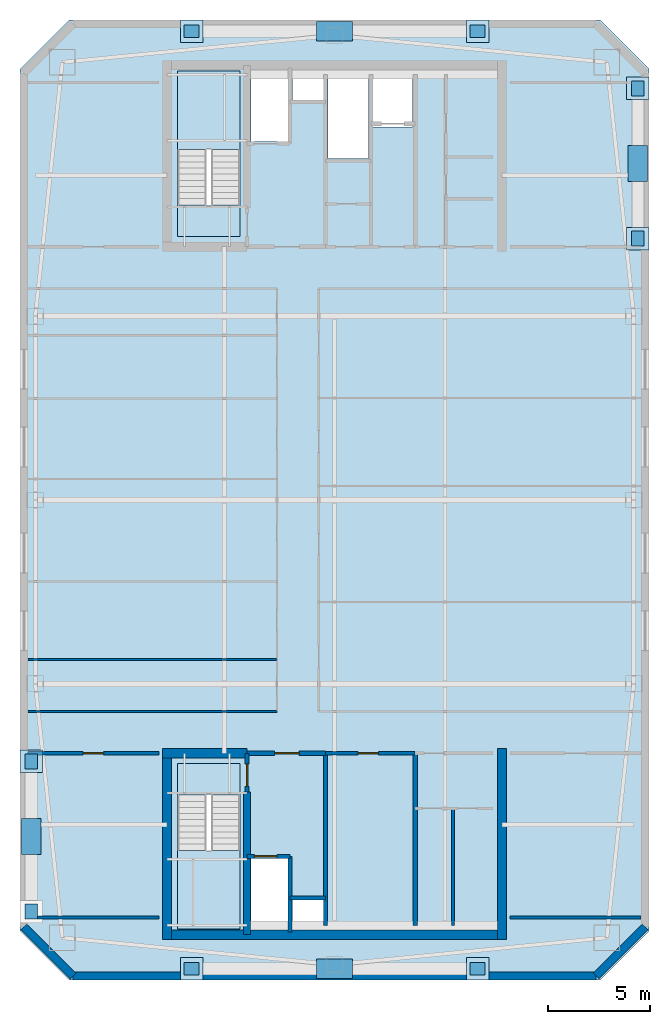
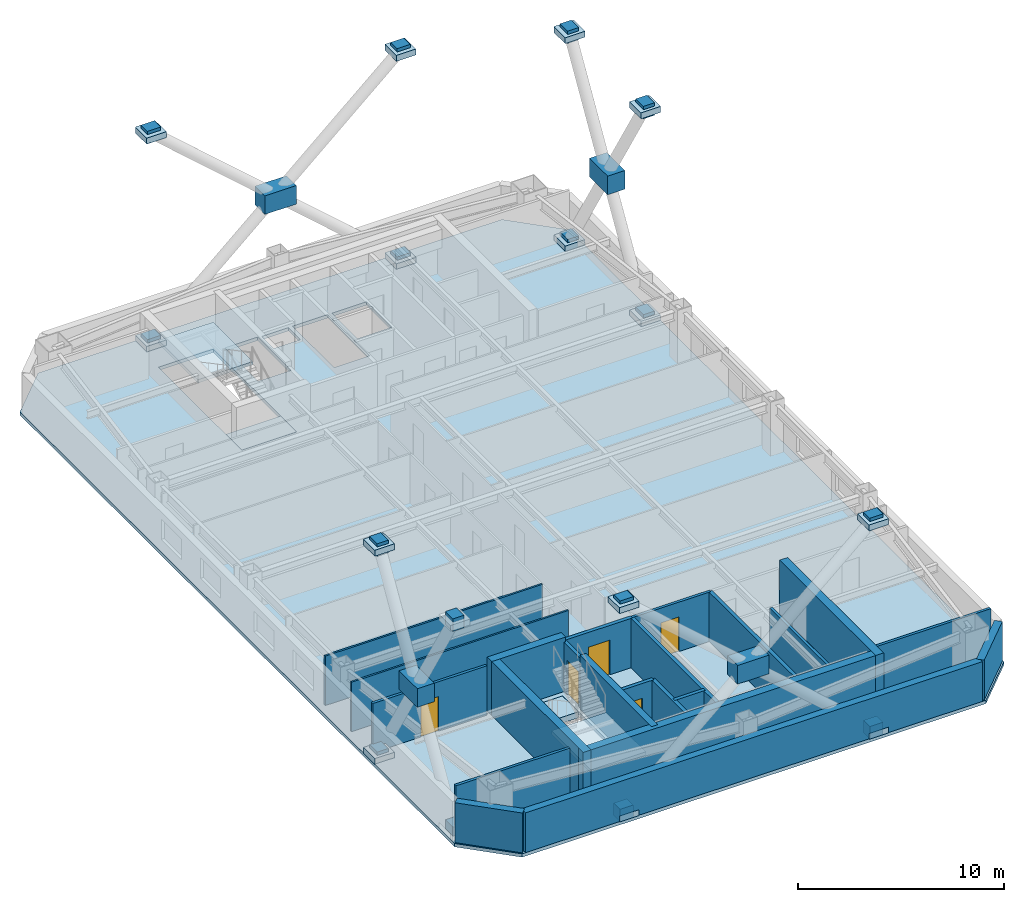
# One storey, part 2 of 6: 34 plates, 22 walls, 5 doors, 5 slabs, 5 openings, 2 elements without a shape of their own.
"""IFC4 building model written with IfcOpenShell, lengths in metres."""

from ifc_helpers import new_model, si_unit, direction, frame, frame_2d, origin, origin_2d, place, context, subcontext, project, spatial, polyline, rectangle, outline, extrude, material, layer, layer_set, type_object, element, fill, aggregate, save


model = new_model("IFC4")

# Units and contexts
model_context = context("Model", 3, precision=1e-05, world=origin(), true_north=direction((0.0, 1.0)))
body_context = subcontext(model_context, "Body", "Model", "MODEL_VIEW")
ifc_project = project(units=[si_unit("LENGTHUNIT", "METRE"), si_unit("AREAUNIT", "SQUARE_METRE"), si_unit("VOLUMEUNIT", "CUBIC_METRE"), si_unit("PLANEANGLEUNIT", "RADIAN"), si_unit("MASSUNIT", "GRAM", prefix="KILO")], contexts=[model_context])

# Site, building, storey
site_placement = place(None, origin())
site = spatial("IfcSite", under=ifc_project, at=site_placement, CompositionType="ELEMENT")
building_placement = place(site_placement, origin())
building = spatial("IfcBuilding", under=site, at=building_placement, Name="Qiaolan Cultural Towers", CompositionType="ELEMENT")
storey_placement = place(building_placement, frame((0.0, 0.0, 263.199951171875)))
storey = spatial("IfcBuildingStorey", under=building, at=storey_placement, Name="L72", CompositionType="ELEMENT", Elevation=263.199951171875)

# Plates
ifc_material_1 = material(Name="Steel Q355B", Category="steel")
ifc_layer_1 = layer(ifc_material_1, 0.035888671875)
ifc_layer_set_1 = layer_set([ifc_layer_1], Name="Steel Q355B")
plate_type_1 = type_object("IfcPlateType", Name="PL-CONN-36", PredefinedType="USERDEFINED", material=ifc_layer_set_1)
for number, where, z_axis, x_axis, name in (
    (1, (15.14990234375, 13.85009765625, -0.2197265625), (0.0, 0.0, 1.0), (0.0, 1.0, 0.0), "L72 Brace End Connection Gusset Plate GP-02-0404"),
    (2, (15.14990234375, 21.199951171875, 12.1298828125), (0.0, 0.0, 1.0), (0.0, 1.0, 0.0), "L72 Brace End Connection Gusset Plate GP-02-0405"),
    (3, (15.14990234375, 21.199951171875, -0.2197265625), (0.0, 0.0, 1.0), (0.0, 1.0, 0.0), "L72 Brace End Connection Gusset Plate GP-02-0406"),
    (4, (15.14990234375, 13.85009765625, 12.1298828125), (0.0, 0.0, 1.0), (0.0, 1.0, 0.0), "L72 Brace End Connection Gusset Plate GP-02-0407"),
    (5, (44.85009765625, 46.800048828125, -0.2197265625), (0.0, 0.0, 1.0), (0.0, 1.0, 0.0), "L72 Brace End Connection Gusset Plate GP-02-0408"),
    (6, (44.85009765625, 54.14990234375, 12.1298828125), (0.0, 0.0, 1.0), (0.0, 1.0, 0.0), "L72 Brace End Connection Gusset Plate GP-02-0409"),
    (7, (44.85009765625, 54.14990234375, -0.2197265625), (0.0, 0.0, 1.0), (0.0, 1.0, 0.0), "L72 Brace End Connection Gusset Plate GP-02-0410"),
    (8, (44.85009765625, 46.800048828125, 12.1298828125), (0.0, 0.0, 1.0), (0.0, 1.0, 0.0), "L72 Brace End Connection Gusset Plate GP-02-0411"),
    (9, (23.0, 11.050048828125, -0.2197265625), (0.0, 0.0, 1.0), (1.0, 0.0, 0.0), "L72 Brace End Connection Gusset Plate GP-02-0412"),
    (10, (37.0, 11.050048828125, 12.1298828125), (0.0, 0.0, 1.0), (1.0, 0.0, 0.0), "L72 Brace End Connection Gusset Plate GP-02-0413"),
    (11, (37.0, 11.050048828125, -0.2197265625), (0.0, 0.0, 1.0), (1.0, 0.0, 0.0), "L72 Brace End Connection Gusset Plate GP-02-0414"),
    (12, (23.0, 11.050048828125, 12.1298828125), (0.0, 0.0, 1.0), (1.0, 0.0, 0.0), "L72 Brace End Connection Gusset Plate GP-02-0415"),
    (13, (23.0, 56.949951171875, -0.2197265625), (0.0, 0.0, 1.0), (1.0, 0.0, 0.0), "L72 Brace End Connection Gusset Plate GP-02-0416"),
    (14, (37.0, 56.949951171875, 12.1298828125), (0.0, 0.0, 1.0), (1.0, 0.0, 0.0), "L72 Brace End Connection Gusset Plate GP-02-0417"),
    (15, (37.0, 56.949951171875, -0.2197265625), (0.0, 0.0, 1.0), (1.0, 0.0, 0.0), "L72 Brace End Connection Gusset Plate GP-02-0418"),
    (16, (23.0, 56.949951171875, 12.1298828125), (0.0, 0.0, 1.0), (1.0, 0.0, 0.0), "L72 Brace End Connection Gusset Plate GP-02-0419"),
):
    element("IfcPlate", number, at=place(storey_placement, frame(where, z_axis=z_axis, x_axis=x_axis)), inside=storey, type_object=plate_type_1, Name=name, ObjectType="GUSSET_PLATE", PredefinedType="USERDEFINED", context=body_context, shape_type="SweptSolid", body=[
        extrude(rectangle(XDim=0.739990234375, YDim=0.6201171875, at=origin_2d()), origin(), (0.0, 0.0, 1.0), 0.739990234375),
    ])
ifc_material_2 = material(Name="Steel Q355B", Category="steel")
ifc_layer_2 = layer(ifc_material_2, 0.030029296875)
ifc_layer_set_2 = layer_set([ifc_layer_2], Name="Steel Q355B")
plate_type_2 = type_object("IfcPlateType", Name="PL-ENDCAP-30", PredefinedType="USERDEFINED", material=ifc_layer_set_2)
for number, where, z_axis, x_axis, name in (
    (17, (15.14990234375, 21.199951171875, -0.02490234375), (0.0, 0.0, 1.0), (0.0, 1.0, 0.0), "Hollow Brace End Seal Cap Plate CP-01"),
    (18, (15.14990234375, 21.199951171875, 12.324951171875), (0.0, 0.0, 1.0), (0.0, 1.0, 0.0), "Hollow Brace End Seal Cap Plate CP-01"),
    (19, (44.85009765625, 46.800048828125, -0.02490234375), (0.0, 0.0, 1.0), (0.0, 1.0, 0.0), "Hollow Brace End Seal Cap Plate CP-01"),
    (20, (44.85009765625, 54.14990234375, -0.02490234375), (0.0, 0.0, 1.0), (0.0, 1.0, 0.0), "Hollow Brace End Seal Cap Plate CP-01"),
    (21, (44.85009765625, 46.800048828125, 12.324951171875), (0.0, 0.0, 1.0), (0.0, 1.0, 0.0), "Hollow Brace End Seal Cap Plate CP-01"),
    (22, (44.85009765625, 54.14990234375, 12.324951171875), (0.0, 0.0, 1.0), (0.0, 1.0, 0.0), "Hollow Brace End Seal Cap Plate CP-01"),
    (23, (23.0, 11.050048828125, -0.02490234375), (0.0, 0.0, 1.0), (1.0, 0.0, 0.0), "Hollow Brace End Seal Cap Plate CP-01"),
    (24, (37.0, 11.050048828125, -0.02490234375), (0.0, 0.0, 1.0), (1.0, 0.0, 0.0), "Hollow Brace End Seal Cap Plate CP-01"),
    (25, (23.0, 11.050048828125, 12.324951171875), (0.0, 0.0, 1.0), (1.0, 0.0, 0.0), "Hollow Brace End Seal Cap Plate CP-01"),
    (26, (37.0, 11.050048828125, 12.324951171875), (0.0, 0.0, 1.0), (1.0, 0.0, 0.0), "Hollow Brace End Seal Cap Plate CP-01"),
    (27, (23.0, 56.949951171875, -0.02490234375), (0.0, 0.0, 1.0), (1.0, 0.0, 0.0), "Hollow Brace End Seal Cap Plate CP-01"),
    (28, (37.0, 56.949951171875, -0.02490234375), (0.0, 0.0, 1.0), (1.0, 0.0, 0.0), "Hollow Brace End Seal Cap Plate CP-01"),
    (29, (23.0, 56.949951171875, 12.324951171875), (0.0, 0.0, 1.0), (1.0, 0.0, 0.0), "Hollow Brace End Seal Cap Plate CP-01"),
    (30, (37.0, 56.949951171875, 12.324951171875), (0.0, 0.0, 1.0), (1.0, 0.0, 0.0), "Hollow Brace End Seal Cap Plate CP-01"),
):
    element("IfcPlate", number, at=place(storey_placement, frame(where, z_axis=z_axis, x_axis=x_axis)), inside=storey, type_object=plate_type_2, Name=name, ObjectType="BASE_PLATE", PredefinedType="USERDEFINED", context=body_context, shape_type="SweptSolid", body=[
        extrude(rectangle(XDim=1.10009765625, YDim=1.10009765625, at=origin_2d()), origin(), (0.0, 0.0, 1.0), 0.35009765625),
    ])
ifc_material_3 = material(Name="Steel Q390GJB", Category="steel")
ifc_layer_3 = layer(ifc_material_3, 0.0439453125)
ifc_layer_set_3 = layer_set([ifc_layer_3], Name="Steel Q390GJB")
plate_type_3 = type_object("IfcPlateType", Name="PL-NODE-ND06", PredefinedType="USERDEFINED", material=ifc_layer_set_3)
plate_1_placement = place(storey_placement, frame((15.14990234375, 17.52490234375, 5.77490234375), z_axis=(0.0, 0.0, 1.0), x_axis=(0.0, 1.0, 0.0)))
element("IfcPlate", 31, at=plate_1_placement, inside=storey, type_object=plate_type_3, Name="Perimeter Frame Gusset Node Assembly ND-06", ObjectType="GUSSET_PLATE", PredefinedType="USERDEFINED", context=body_context, shape_type="SweptSolid", body=[
    extrude(rectangle(XDim=1.760009765625, YDim=0.9599609375, at=origin_2d()), origin(), (0.0, 0.0, 1.0), 1.10009765625),
])
ifc_material_4 = material(Name="Steel Q390GJB", Category="steel")
ifc_layer_4 = layer(ifc_material_4, 0.0458984375)
ifc_layer_set_4 = layer_set([ifc_layer_4], Name="Steel Q390GJB")
plate_type_4 = type_object("IfcPlateType", Name="PL-NODE-ND07", PredefinedType="USERDEFINED", material=ifc_layer_set_4)
plate_2_placement = place(storey_placement, frame((44.85009765625, 50.47509765625, 5.77490234375), z_axis=(0.0, 0.0, 1.0), x_axis=(0.0, 1.0, 0.0)))
element("IfcPlate", 32, at=plate_2_placement, inside=storey, type_object=plate_type_4, Name="Perimeter Frame Gusset Node Assembly ND-07", ObjectType="GUSSET_PLATE", PredefinedType="USERDEFINED", context=body_context, shape_type="SweptSolid", body=[
    extrude(rectangle(XDim=1.760009765625, YDim=0.9599609375, at=origin_2d()), origin(), (0.0, 0.0, 1.0), 1.10009765625),
])
ifc_material_5 = material(Name="Steel Q390GJB", Category="steel")
ifc_layer_5 = layer(ifc_material_5, 0.0400390625)
ifc_layer_set_5 = layer_set([ifc_layer_5], Name="Steel Q390GJB")
plate_type_5 = type_object("IfcPlateType", Name="PL-NODE-ND08", PredefinedType="USERDEFINED", material=ifc_layer_set_5)
plate_3_placement = place(storey_placement, frame((30.0, 11.050048828125, 5.77490234375), z_axis=(0.0, 0.0, 1.0), x_axis=(1.0, 0.0, 0.0)))
element("IfcPlate", 33, at=plate_3_placement, inside=storey, type_object=plate_type_5, Name="Perimeter Frame Gusset Node Assembly ND-08", ObjectType="GUSSET_PLATE", PredefinedType="USERDEFINED", context=body_context, shape_type="SweptSolid", body=[
    extrude(rectangle(XDim=1.760009765625, YDim=0.9599609375, at=origin_2d()), origin(), (0.0, 0.0, 1.0), 1.10009765625),
])
ifc_material_6 = material(Name="Steel Q390GJB", Category="steel")
ifc_layer_6 = layer(ifc_material_6, 0.0419921875)
ifc_layer_set_6 = layer_set([ifc_layer_6], Name="Steel Q390GJB")
plate_type_6 = type_object("IfcPlateType", Name="PL-NODE-ND09", PredefinedType="USERDEFINED", material=ifc_layer_set_6)
plate_4_placement = place(storey_placement, frame((30.0, 56.949951171875, 5.77490234375), z_axis=(0.0, 0.0, 1.0), x_axis=(1.0, 0.0, 0.0)))
element("IfcPlate", 34, at=plate_4_placement, inside=storey, type_object=plate_type_6, Name="Perimeter Frame Gusset Node Assembly ND-09", ObjectType="GUSSET_PLATE", PredefinedType="USERDEFINED", context=body_context, shape_type="SweptSolid", body=[
    extrude(rectangle(XDim=1.760009765625, YDim=0.9599609375, at=origin_2d()), origin(), (0.0, 0.0, 1.0), 1.10009765625),
])

# Slab
ifc_material_7 = material(Name="Concrete C45", Category="concrete")
ifc_layer_7 = layer(ifc_material_7, 0.199951171875)
ifc_layer_set_7 = layer_set([ifc_layer_7], Name="Concrete C45")
slab_type_1 = type_object("IfcSlabType", Name="SL-HI-200", PredefinedType="FLOOR", material=ifc_layer_set_7)
slab_1_placement = place(storey_placement, frame((0.0, 0.0, -0.199951171875)))
element("IfcSlab", 35, at=slab_1_placement, inside=storey, type_object=slab_type_1, Name="L72 West Tower Floor Slab", PredefinedType="FLOOR", context=body_context, shape_type="SweptSolid", body=[
    extrude(outline(polyline([(17.0, 10.5), (43.0, 10.5), (45.39990234375, 12.89990234375), (45.39990234375, 55.10009765625), (43.0, 57.5), (17.0, 57.5), (14.60009765625, 55.10009765625), (14.60009765625, 12.89990234375), (17.0, 10.5)]), holes=[polyline([(22.300048828125, 21.10009765625), (22.300048828125, 13.0), (25.3798828125, 13.0), (25.3798828125, 21.10009765625), (22.300048828125, 21.10009765625)]), polyline([(25.3798828125, 46.89990234375), (25.3798828125, 55.0), (22.300048828125, 55.0), (22.300048828125, 46.89990234375), (25.3798828125, 46.89990234375)]), polyline([(25.89990234375, 13.199951171875), (27.75, 13.199951171875), (27.75, 16.449951171875), (25.89990234375, 16.449951171875), (25.89990234375, 13.199951171875)]), polyline([(27.93994140625, 13.25), (29.449951171875, 13.25), (29.449951171875, 14.419921875), (27.93994140625, 14.419921875), (27.93994140625, 13.25)]), polyline([(25.89990234375, 51.550048828125), (27.75, 51.550048828125), (27.75, 54.800048828125), (25.89990234375, 54.800048828125), (25.89990234375, 51.550048828125)]), polyline([(27.93994140625, 53.580078125), (29.449951171875, 53.580078125), (29.449951171875, 54.75), (27.93994140625, 54.75), (27.93994140625, 53.580078125)]), polyline([(31.8798828125, 52.27001953125), (33.820068359375, 52.27001953125), (33.820068359375, 54.75), (31.8798828125, 54.75), (31.8798828125, 52.27001953125)]), polyline([(29.679931640625, 50.719970703125), (31.659912109375, 50.719970703125), (31.659912109375, 54.75), (29.679931640625, 54.75), (29.679931640625, 50.719970703125)])]), origin(), (0.0, 0.0, 1.0), 0.199951171875),
])

# Stair, slab
ifc_material_8 = material(Name="Concrete C45", Category="concrete")
stair_type = type_object("IfcStairType", Name="STR-CORE-1500", PredefinedType="HALF_TURN_STAIR", material=ifc_material_8)
stair_1_placement = place(storey_placement, origin())
stair_1 = element("IfcStair", 36, at=stair_1_placement, inside=storey, type_object=stair_type, Name="L72 Smokeproof Exit Stair ST-W1", PredefinedType="HALF_TURN_STAIR")
ifc_material_9 = material(Name="Concrete C45", Category="concrete")
ifc_layer_8 = layer(ifc_material_9, 0.199951171875)
ifc_layer_set_8 = layer_set([ifc_layer_8], Name="Concrete C45")
slab_type_2 = type_object("IfcSlabType", Name="SL-STAIR-LAND", PredefinedType="LANDING", material=ifc_layer_set_8)
slab_2_placement = place(storey_placement, frame((0.0, 0.0, 1.400146484375)))
slab_2 = element("IfcSlab", 37, at=slab_2_placement, type_object=slab_type_2, Name="ST-W1 landing 1", PredefinedType="LANDING", context=body_context, shape_type="SweptSolid", body=[
    extrude(outline(polyline([(22.300048828125, 16.851318359375), (22.300048828125, 13.0), (25.3798828125, 13.0), (25.3798828125, 16.851318359375), (22.300048828125, 16.851318359375)])), origin(), (0.0, 0.0, 1.0), 0.199951171875),
])
aggregate(stair_1, [slab_2])

stair_2_placement = place(storey_placement, origin())
stair_2 = element("IfcStair", 38, at=stair_2_placement, inside=storey, type_object=stair_type, Name="L72 Smokeproof Exit Stair ST-W2", PredefinedType="HALF_TURN_STAIR")
slab_3_placement = place(storey_placement, frame((0.0, 0.0, 1.400146484375)))
slab_3 = element("IfcSlab", 39, at=slab_3_placement, type_object=slab_type_2, Name="ST-W2 landing 1", PredefinedType="LANDING", context=body_context, shape_type="SweptSolid", body=[
    extrude(outline(polyline([(25.3798828125, 51.148681640625), (25.3798828125, 55.0), (22.300048828125, 55.0), (22.300048828125, 51.148681640625), (25.3798828125, 51.148681640625)])), origin(), (0.0, 0.0, 1.0), 0.199951171875),
])
aggregate(stair_2, [slab_3])

# Slabs
ifc_material_10 = material(Name="Concrete C40", Category="concrete")
ifc_layer_9 = layer(ifc_material_10, 0.360107421875)
ifc_layer_set_9 = layer_set([ifc_layer_9], Name="Concrete C40")
slab_type_3 = type_object("IfcSlabType", Name="SL-STFLR-360", PredefinedType="LANDING", material=ifc_layer_set_9)
slab_4_placement = place(storey_placement, frame((0.0, 0.0, -0.35986328125)))
element("IfcSlab", 40, at=slab_4_placement, inside=storey, type_object=slab_type_3, Name="L72 ST-W1 Stair Floor Landing Slab", PredefinedType="LANDING", context=body_context, shape_type="SweptSolid", body=[
    extrude(outline(polyline([(22.302001953125, 21.097900390625), (22.302001953125, 19.548583984375), (25.3779296875, 19.548583984375), (25.3779296875, 21.097900390625), (22.302001953125, 21.097900390625)])), origin(), (0.0, 0.0, 1.0), 0.35986328125),
])
slab_5_placement = place(storey_placement, frame((0.0, 0.0, -0.35986328125)))
element("IfcSlab", 41, at=slab_5_placement, inside=storey, type_object=slab_type_3, Name="L72 ST-W2 Stair Floor Landing Slab", PredefinedType="LANDING", context=body_context, shape_type="SweptSolid", body=[
    extrude(outline(polyline([(25.3779296875, 46.902099609375), (25.3779296875, 48.451416015625), (22.302001953125, 48.451416015625), (22.302001953125, 46.902099609375), (25.3779296875, 46.902099609375)])), origin(), (0.0, 0.0, 1.0), 0.35986328125),
])

# Walls
ifc_material_11 = material(Name="Concrete C50", Category="concrete")
ifc_layer_10 = layer(ifc_material_11, 0.35009765625)
ifc_layer_set_10 = layer_set([ifc_layer_10], Name="Concrete C50")
wall_type_1 = type_object("IfcWallType", Name="WL-CORE-350", PredefinedType="SHEAR", material=ifc_layer_set_10)
wall_1_placement = place(storey_placement, frame((25.719970703125, 19.699951171875, 0.0), z_axis=(0.0, 0.0, 1.0), x_axis=(0.0, -1.0, 0.0)))
element("IfcWall", 42, at=wall_1_placement, inside=storey, type_object=wall_type_1, Name="L72 T1-CS Stair Core Dividing Web", PredefinedType="SHEAR", context=body_context, shape_type="SweptSolid", body=[
    extrude(rectangle(XDim=6.97998046875, YDim=0.35009765625, at=frame_2d((3.489990234375, 0.0))), origin(), (0.0, 0.0, 1.0), 3.199951171875),
])
ifc_material_12 = material(Name="Concrete C50", Category="concrete")
ifc_layer_11 = layer(ifc_material_12, 0.449951171875)
ifc_layer_set_11 = layer_set([ifc_layer_11], Name="Concrete C50")
wall_type_2 = type_object("IfcWallType", Name="WL-CORE-450", PredefinedType="SHEAR", material=ifc_layer_set_11)
wall_2_placement = place(storey_placement, frame((21.574951171875, 12.719970703125, 0.0), z_axis=(0.0, 0.0, 1.0), x_axis=(1.0, 0.0, 0.0)))
element("IfcWall", 43, at=wall_2_placement, inside=storey, type_object=wall_type_2, Name="L72 T1-CS Outer Core Shear Wall", PredefinedType="SHEAR", context=body_context, shape_type="SweptSolid", body=[
    extrude(rectangle(XDim=16.85009765625, YDim=0.449951171875, at=frame_2d((8.425048828125, 0.0))), origin(), (0.0, 0.0, 1.0), 3.199951171875),
])
for number, where, z_axis, x_axis, name in (
    (44, (21.800048828125, 21.824951171875, 0.0), (0.0, 0.0, 1.0), (0.0, -1.0, 0.0), "L72 T1-CS West Core Shear Wall"),
    (45, (38.199951171875, 21.824951171875, 0.0), (0.0, 0.0, 1.0), (0.0, -1.0, 0.0), "L72 T1-CS East Core Shear Wall"),
):
    element("IfcWall", number, at=place(storey_placement, frame(where, z_axis=z_axis, x_axis=x_axis)), inside=storey, type_object=wall_type_2, Name=name, PredefinedType="SHEAR", context=body_context, shape_type="SweptSolid", body=[
        extrude(rectangle(XDim=9.329833984375, YDim=0.449951171875, at=frame_2d((4.6650390625, 0.0))), origin(), (0.0, 0.0, 1.0), 3.199951171875),
    ])
wall_3_placement = place(storey_placement, frame((21.574951171875, 21.60009765625, 0.0), z_axis=(0.0, 0.0, 1.0), x_axis=(1.0, 0.0, 0.0)))
element("IfcWall", 46, at=wall_3_placement, inside=storey, type_object=wall_type_2, Name="L72 T1-CS Stair Front Shear Wall", PredefinedType="SHEAR", context=body_context, shape_type="SweptSolid", body=[
    extrude(rectangle(XDim=4.14501953125, YDim=0.449951171875, at=frame_2d((2.072509765625, 0.0))), origin(), (0.0, 0.0, 1.0), 3.199951171875),
])
ifc_material_13 = material(Name="Precast Concrete C50 Honed Stone Pier", Category="masonry")
ifc_layer_12 = layer(ifc_material_13, 0.39990234375)
ifc_layer_set_12 = layer_set([ifc_layer_12], Name="Precast Concrete C50 Honed Stone Pier")
wall_type_3 = type_object("IfcWallType", Name="WL-EXT-PIER-400", PredefinedType="SOLIDWALL", material=ifc_layer_set_12)
wall_4_placement = place(storey_placement, frame((45.199951171875, 13.10009765625, 0.0), z_axis=(0.0, 0.0, 1.0), x_axis=(-0.707070815327, -0.707142745217, 0.0)))
element("IfcWall", 47, at=wall_4_placement, inside=storey, type_object=wall_type_3, Name="L72 West Tower Precast Pier Facade Wall F6", PredefinedType="SOLIDWALL", context=body_context, shape_type="SweptSolid", body=[
    extrude(rectangle(XDim=3.39404296875, YDim=0.39990234375, at=frame_2d((1.697021484375, 0.0))), origin(), (0.0, 0.0, 1.0), 2.360107421875),
])
wall_5_placement = place(storey_placement, frame((42.800048828125, 10.699951171875, 0.0), z_axis=(0.0, 0.0, 1.0), x_axis=(-1.0, 0.0, 0.0)))
element("IfcWall", 48, at=wall_5_placement, inside=storey, type_object=wall_type_3, Name="L72 West Tower Precast Pier Facade Wall F7", PredefinedType="SOLIDWALL", context=body_context, shape_type="SweptSolid", body=[
    extrude(rectangle(XDim=25.60009765625, YDim=0.39990234375, at=frame_2d((12.800048828125, 0.0))), origin(), (0.0, 0.0, 1.0), 2.360107421875),
])
wall_6_placement = place(storey_placement, frame((17.199951171875, 10.699951171875, 0.0), z_axis=(0.0, 0.0, 1.0), x_axis=(-0.707070815327, 0.707142745217, 0.0)))
element("IfcWall", 49, at=wall_6_placement, inside=storey, type_object=wall_type_3, Name="L72 West Tower Precast Pier Facade Wall F8", PredefinedType="SOLIDWALL", context=body_context, shape_type="SweptSolid", body=[
    extrude(rectangle(XDim=3.39404296875, YDim=0.39990234375, at=frame_2d((1.697021484375, 0.0))), origin(), (0.0, 0.0, 1.0), 2.360107421875),
])

# Wall, opening, door
ifc_material_14 = material(Name="Concrete C35 Fire Wall", Category="concrete")
ifc_layer_13 = layer(ifc_material_14, 0.199951171875)
ifc_layer_set_13 = layer_set([ifc_layer_13], Name="Concrete C35 Fire Wall")
wall_type_4 = type_object("IfcWallType", Name="WL-FIRE-200", PredefinedType="PARTITIONING", material=ifc_layer_set_13)
wall_7_placement = place(storey_placement, frame((25.719970703125, 21.60009765625, 0.0), z_axis=(0.0, 0.0, 1.0), x_axis=(0.0, -1.0, 0.0)))
wall_7 = element("IfcWall", 50, at=wall_7_placement, inside=storey, type_object=wall_type_4, Name="L72 T1-CS Smokeproof Stair Entry Wall", PredefinedType="PARTITIONING", context=body_context, shape_type="SweptSolid", body=[
    extrude(rectangle(XDim=1.900146484375, YDim=0.199951171875, at=frame_2d((0.9501953125, 0.0))), origin(), (0.0, 0.0, 1.0), 2.925048828125),
])
opening_1_placement = place(wall_7_placement, frame((0.52001953125, 0.0, 0.0)))
opening_1 = element("IfcOpeningElement", 51, at=opening_1_placement, cuts=wall_7, Name="Opening FD-04", PredefinedType="OPENING", context=body_context, shape_type="SweptSolid", body=[
    extrude(rectangle(XDim=1.10009765625, YDim=2.050048828125, at=frame_2d((0.550048828125, 1.02490234375))), frame((0.0, 0.10986328125, 0.0), z_axis=(0.0, -1.0, 0.0), x_axis=(1.0, 0.0, 0.0)), (0.0, 0.0, 1.0), 0.219970703125),
])
ifc_material_15 = material(Name="Galvanized Steel Command Fire Door", Category="steel")
door_type_1 = type_object("IfcDoorType", Name="DR-FD90-1100", OperationType="NOTDEFINED", PredefinedType="DOOR", material=ifc_material_15)
door_1_placement = place(opening_1_placement, origin())
door_1 = element("IfcDoor", 52, at=door_1_placement, inside=storey, type_object=door_type_1, Name="L72 ST-W1 Smokeproof Stair Fire Door", OperationType="SINGLE_SWING_LEFT", OverallHeight=2.050048828125, OverallWidth=1.10009765625, PredefinedType="DOOR", context=body_context, shape_type="SweptSolid", body=[
    extrude(rectangle(XDim=1.10009765625, YDim=2.050048828125, at=frame_2d((0.550048828125, 1.02490234375))), frame((0.0, 0.02490234375, 0.0), z_axis=(0.0, -1.0, 0.0), x_axis=(1.0, 0.0, 0.0)), (0.0, 0.0, 1.0), 0.050048828125),
])
fill(opening_1, door_1)

# Wall
wall_8_placement = place(storey_placement, frame((29.550048828125, 21.60009765625, 0.0), z_axis=(0.0, 0.0, 1.0), x_axis=(0.0, -1.0, 0.0)))
element("IfcWall", 53, at=wall_8_placement, inside=storey, type_object=wall_type_4, Name="L72 T1-CS Firefighting Zone Wall", PredefinedType="PARTITIONING", context=body_context, shape_type="SweptSolid", body=[
    extrude(rectangle(XDim=8.43017578125, YDim=0.199951171875, at=frame_2d((4.215087890625, 0.0))), origin(), (0.0, 0.0, 1.0), 2.925048828125),
])

# Wall, opening, door
wall_9_placement = place(storey_placement, frame((25.719970703125, 21.60009765625, 0.0), z_axis=(0.0, 0.0, 1.0), x_axis=(1.0, 0.0, 0.0)))
wall_9 = element("IfcWall", 54, at=wall_9_placement, inside=storey, type_object=wall_type_4, Name="L72 T1-CS Firefighting Lobby Front Wall", PredefinedType="PARTITIONING", context=body_context, shape_type="SweptSolid", body=[
    extrude(rectangle(XDim=3.830078125, YDim=0.199951171875, at=frame_2d((1.9150390625, 0.0))), origin(), (0.0, 0.0, 1.0), 2.925048828125),
])
opening_2_placement = place(wall_9_placement, frame((1.35009765625, 0.0, 0.0)))
opening_2 = element("IfcOpeningElement", 55, at=opening_2_placement, cuts=wall_9, Name="Opening FD-03", PredefinedType="OPENING", context=body_context, shape_type="SweptSolid", body=[
    extrude(rectangle(XDim=1.199951171875, YDim=2.050048828125, at=frame_2d((0.60009765625, 1.02490234375))), frame((0.0, 0.10986328125, 0.0), z_axis=(0.0, -1.0, 0.0), x_axis=(1.0, 0.0, 0.0)), (0.0, 0.0, 1.0), 0.219970703125),
])
ifc_material_16 = material(Name="Galvanized Steel Smokeproof Lobby Fire Door", Category="steel")
door_type_2 = type_object("IfcDoorType", Name="DR-FD90-1200", OperationType="NOTDEFINED", PredefinedType="DOOR", material=ifc_material_16)
door_2_placement = place(opening_2_placement, origin())
door_2 = element("IfcDoor", 56, at=door_2_placement, inside=storey, type_object=door_type_2, Name="L72 FFL-W1 Firefighting Lobby Fire Door", OperationType="SINGLE_SWING_LEFT", OverallHeight=2.050048828125, OverallWidth=1.199951171875, PredefinedType="DOOR", context=body_context, shape_type="SweptSolid", body=[
    extrude(rectangle(XDim=1.199951171875, YDim=2.050048828125, at=frame_2d((0.60009765625, 1.02490234375))), frame((0.0, 0.02490234375, 0.0), z_axis=(0.0, -1.0, 0.0), x_axis=(1.0, 0.0, 0.0)), (0.0, 0.0, 1.0), 0.050048828125),
])
fill(opening_2, door_2)

wall_10_placement = place(storey_placement, frame((25.719970703125, 16.550048828125, 0.0), z_axis=(0.0, 0.0, 1.0), x_axis=(1.0, 0.0, 0.0)))
wall_10 = element("IfcWall", 57, at=wall_10_placement, inside=storey, type_object=wall_type_4, Name="L72 T1-CS Firefighting Shaft Front Wall", PredefinedType="PARTITIONING", context=body_context, shape_type="SweptSolid", body=[
    extrude(rectangle(XDim=2.10009765625, YDim=0.199951171875, at=frame_2d((1.050048828125, 0.0))), origin(), (0.0, 0.0, 1.0), 2.925048828125),
])
opening_3_placement = place(wall_10_placement, frame((0.35009765625, 0.0, 0.0)))
opening_3 = element("IfcOpeningElement", 58, at=opening_3_placement, cuts=wall_10, Name="Opening LD-01", PredefinedType="OPENING", context=body_context, shape_type="SweptSolid", body=[
    extrude(rectangle(XDim=1.10009765625, YDim=2.050048828125, at=frame_2d((0.550048828125, 1.02490234375))), frame((0.0, 0.10986328125, 0.0), z_axis=(0.0, -1.0, 0.0), x_axis=(1.0, 0.0, 0.0)), (0.0, 0.0, 1.0), 0.219970703125),
])
ifc_material_17 = material(Name="Brushed Stainless Steel S30408 Centre-Parting Lift Landing Door", Category="steel")
door_type_3 = type_object("IfcDoorType", Name="DR-LIFT-1100", OperationType="NOTDEFINED", PredefinedType="DOOR", material=ifc_material_17)
door_3_placement = place(opening_3_placement, origin())
door_3 = element("IfcDoor", 59, at=door_3_placement, inside=storey, type_object=door_type_3, Name="L72 FFL-W1 Firefighting Lift Landing Door", OperationType="DOUBLE_DOOR_SLIDING", OverallHeight=2.050048828125, OverallWidth=1.10009765625, PredefinedType="DOOR", context=body_context, shape_type="SweptSolid", body=[
    extrude(rectangle(XDim=1.10009765625, YDim=2.050048828125, at=frame_2d((0.550048828125, 1.02490234375))), frame((0.0, 0.02490234375, 0.0), z_axis=(0.0, -1.0, 0.0), x_axis=(1.0, 0.0, 0.0)), (0.0, 0.0, 1.0), 0.050048828125),
])
fill(opening_3, door_3)

# Walls
wall_11_placement = place(storey_placement, frame((27.820068359375, 16.550048828125, 0.0), z_axis=(0.0, 0.0, 1.0), x_axis=(0.0, -1.0, 0.0)))
element("IfcWall", 60, at=wall_11_placement, inside=storey, type_object=wall_type_4, Name="L72 T1-CS Firefighting Hoistway East Wall", PredefinedType="PARTITIONING", context=body_context, shape_type="SweptSolid", body=[
    extrude(rectangle(XDim=3.699951171875, YDim=0.199951171875, at=frame_2d((1.85009765625, 0.0))), origin(), (0.0, 0.0, 1.0), 2.925048828125),
])
wall_12_placement = place(storey_placement, frame((27.820068359375, 14.52001953125, 0.0), z_axis=(0.0, 0.0, 1.0), x_axis=(1.0, 0.0, 0.0)))
element("IfcWall", 61, at=wall_12_placement, inside=storey, type_object=wall_type_4, Name="L72 T1-CS Pressurization Shaft Front Wall", PredefinedType="PARTITIONING", context=body_context, shape_type="SweptSolid", body=[
    extrude(rectangle(XDim=1.72998046875, YDim=0.199951171875, at=frame_2d((0.864990234375, 0.0))), origin(), (0.0, 0.0, 1.0), 2.925048828125),
])
wall_13_placement = place(storey_placement, frame((33.949951171875, 21.60009765625, 0.0), z_axis=(0.0, 0.0, 1.0), x_axis=(0.0, -1.0, 0.0)))
element("IfcWall", 62, at=wall_13_placement, inside=storey, type_object=wall_type_4, Name="L72 T1-CS Lift Core East Wall", PredefinedType="PARTITIONING", context=body_context, shape_type="SweptSolid", body=[
    extrude(rectangle(XDim=8.43017578125, YDim=0.199951171875, at=frame_2d((4.215087890625, 0.0))), origin(), (0.0, 0.0, 1.0), 2.925048828125),
])
ifc_material_18 = material(Name="Acoustic Double-Glazed Partition Frame", Category="glass")
ifc_layer_14 = layer(ifc_material_18, 0.10009765625)
ifc_layer_set_14 = layer_set([ifc_layer_14], Name="Acoustic Double-Glazed Partition Frame")
wall_type_5 = type_object("IfcWallType", Name="WL-GLAZED-100", PredefinedType="MOVABLE", material=ifc_layer_set_14)
for number, where, z_axis, x_axis, name in (
    (63, (15.0, 23.64990234375, 0.0), (0.0, 0.0, 1.0), (1.0, 0.0, 0.0), "L72 T1 South Corridor Left Wall"),
    (64, (15.0, 26.199951171875, 0.0), (0.0, 0.0, 1.0), (1.0, 0.0, 0.0), "L72 T1 West Partition 1"),
):
    element("IfcWall", number, at=place(storey_placement, frame(where, z_axis=z_axis, x_axis=x_axis)), inside=storey, type_object=wall_type_5, Name=name, PredefinedType="MOVABLE", context=body_context, shape_type="SweptSolid", body=[
        extrude(rectangle(XDim=12.175048828125, YDim=0.10009765625, at=frame_2d((6.08740234375, 0.0))), origin(), (0.0, 0.0, 1.0), 2.925048828125),
    ])

# Wall, opening, door
ifc_material_19 = material(Name="Autoclaved Aerated Concrete Block B06", Category="concrete")
ifc_layer_15 = layer(ifc_material_19, 0.14990234375)
ifc_layer_set_15 = layer_set([ifc_layer_15], Name="Autoclaved Aerated Concrete Block B06")
wall_type_6 = type_object("IfcWallType", Name="WL-PART-150", PredefinedType="PARTITIONING", material=ifc_layer_set_15)
wall_14_placement = place(storey_placement, frame((29.550048828125, 21.60009765625, 0.0), z_axis=(0.0, 0.0, 1.0), x_axis=(1.0, 0.0, 0.0)))
wall_14 = element("IfcWall", 65, at=wall_14_placement, inside=storey, type_object=wall_type_6, Name="L72 T1-CS Reclaimed Core Room Front Wall", PredefinedType="PARTITIONING", context=body_context, shape_type="SweptSolid", body=[
    extrude(rectangle(XDim=4.39990234375, YDim=0.14990234375, at=frame_2d((2.199951171875, 0.0))), origin(), (0.0, 0.0, 1.0), 2.925048828125),
])
opening_4_placement = place(wall_14_placement, frame((1.60009765625, 0.0, 0.0)))
opening_4 = element("IfcOpeningElement", 66, at=opening_4_placement, cuts=wall_14, Name="Opening ID-04", PredefinedType="OPENING", context=body_context, shape_type="SweptSolid", body=[
    extrude(rectangle(XDim=1.0, YDim=2.050048828125, at=frame_2d((0.5, 1.02490234375))), frame((0.0, 0.0849609375, 0.0), z_axis=(0.0, -1.0, 0.0), x_axis=(1.0, 0.0, 0.0)), (0.0, 0.0, 1.0), 0.169921875),
])
ifc_material_20 = material(Name="Oak Veneer Acoustic Office Door", Category="timber")
door_type_4 = type_object("IfcDoorType", Name="DR-INT-1000", OperationType="NOTDEFINED", PredefinedType="DOOR", material=ifc_material_20)
door_4_placement = place(opening_4_placement, origin())
door_4 = element("IfcDoor", 67, at=door_4_placement, inside=storey, type_object=door_type_4, Name="L72 Reclaimed Archive Room Door", OperationType="SINGLE_SWING_LEFT", OverallHeight=2.050048828125, OverallWidth=1.0, PredefinedType="DOOR", context=body_context, shape_type="SweptSolid", body=[
    extrude(rectangle(XDim=1.0, YDim=2.050048828125, at=frame_2d((0.5, 1.02490234375))), frame((0.0, 0.02490234375, 0.0), z_axis=(0.0, -1.0, 0.0), x_axis=(1.0, 0.0, 0.0)), (0.0, 0.0, 1.0), 0.050048828125),
])
fill(opening_4, door_4)

# Walls
wall_15_placement = place(storey_placement, frame((35.800048828125, 18.89990234375, 0.0), z_axis=(0.0, 0.0, 1.0), x_axis=(0.0, -1.0, 0.0)))
element("IfcWall", 68, at=wall_15_placement, inside=storey, type_object=wall_type_6, Name="L72 T1-CS Restroom Divider Wall", PredefinedType="PARTITIONING", context=body_context, shape_type="SweptSolid", body=[
    extrude(rectangle(XDim=5.72998046875, YDim=0.14990234375, at=frame_2d((2.864990234375, 0.0))), origin(), (0.0, 0.0, 1.0), 2.925048828125),
])
wall_16_placement = place(storey_placement, frame((15.0, 13.550048828125, 0.0), z_axis=(0.0, 0.0, 1.0), x_axis=(1.0, 0.0, 0.0)))
element("IfcWall", 69, at=wall_16_placement, inside=storey, type_object=wall_type_6, Name="L72 T1 Flank Wall FLK-SW", PredefinedType="PARTITIONING", context=body_context, shape_type="SweptSolid", body=[
    extrude(rectangle(XDim=6.39990234375, YDim=0.14990234375, at=frame_2d((3.199951171875, 0.0))), origin(), (0.0, 0.0, 1.0), 2.925048828125),
])

# Wall, opening, door
wall_17_placement = place(storey_placement, frame((15.0, 21.60009765625, 0.0), z_axis=(0.0, 0.0, 1.0), x_axis=(1.0, 0.0, 0.0)))
wall_17 = element("IfcWall", 70, at=wall_17_placement, inside=storey, type_object=wall_type_6, Name="L72 T1 Flank Front FLK-SW", PredefinedType="PARTITIONING", context=body_context, shape_type="SweptSolid", body=[
    extrude(rectangle(XDim=6.39990234375, YDim=0.14990234375, at=frame_2d((3.199951171875, 0.0))), origin(), (0.0, 0.0, 1.0), 2.925048828125),
])
opening_5_placement = place(wall_17_placement, frame((2.68798828125, 0.0, 0.0)))
opening_5 = element("IfcOpeningElement", 71, at=opening_5_placement, cuts=wall_17, Name="Opening ID-04", PredefinedType="OPENING", context=body_context, shape_type="SweptSolid", body=[
    extrude(rectangle(XDim=1.0, YDim=2.050048828125, at=frame_2d((0.5, 1.02490234375))), frame((0.0, 0.0849609375, 0.0), z_axis=(0.0, -1.0, 0.0), x_axis=(1.0, 0.0, 0.0)), (0.0, 0.0, 1.0), 0.169921875),
])
door_5_placement = place(opening_5_placement, origin())
door_5 = element("IfcDoor", 72, at=door_5_placement, inside=storey, type_object=door_type_4, Name="L72 T1 Corner Studio Door", OperationType="SINGLE_SWING_LEFT", OverallHeight=2.050048828125, OverallWidth=1.0, PredefinedType="DOOR", context=body_context, shape_type="SweptSolid", body=[
    extrude(rectangle(XDim=1.0, YDim=2.050048828125, at=frame_2d((0.5, 1.02490234375))), frame((0.0, 0.02490234375, 0.0), z_axis=(0.0, -1.0, 0.0), x_axis=(1.0, 0.0, 0.0)), (0.0, 0.0, 1.0), 0.050048828125),
])
fill(opening_5, door_5)

# Wall
wall_18_placement = place(storey_placement, frame((38.60009765625, 13.550048828125, 0.0), z_axis=(0.0, 0.0, 1.0), x_axis=(1.0, 0.0, 0.0)))
element("IfcWall", 73, at=wall_18_placement, inside=storey, type_object=wall_type_6, Name="L72 T1 Flank Wall FLK-SE", PredefinedType="PARTITIONING", context=body_context, shape_type="SweptSolid", body=[
    extrude(rectangle(XDim=6.39990234375, YDim=0.14990234375, at=frame_2d((3.199951171875, 0.0))), origin(), (0.0, 0.0, 1.0), 2.925048828125),
])

save(model, "model.ifc")
